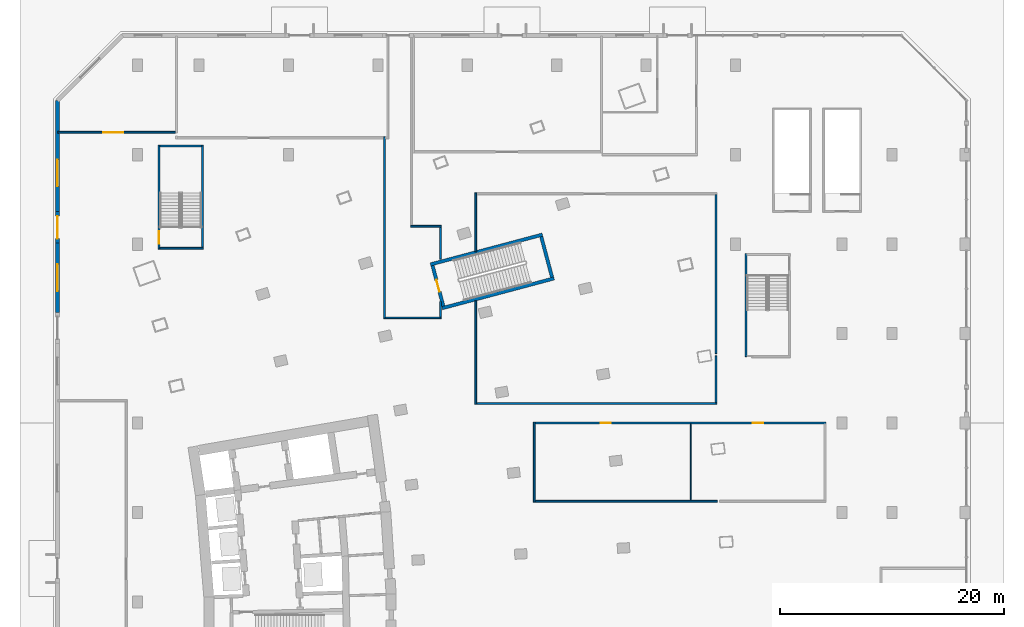
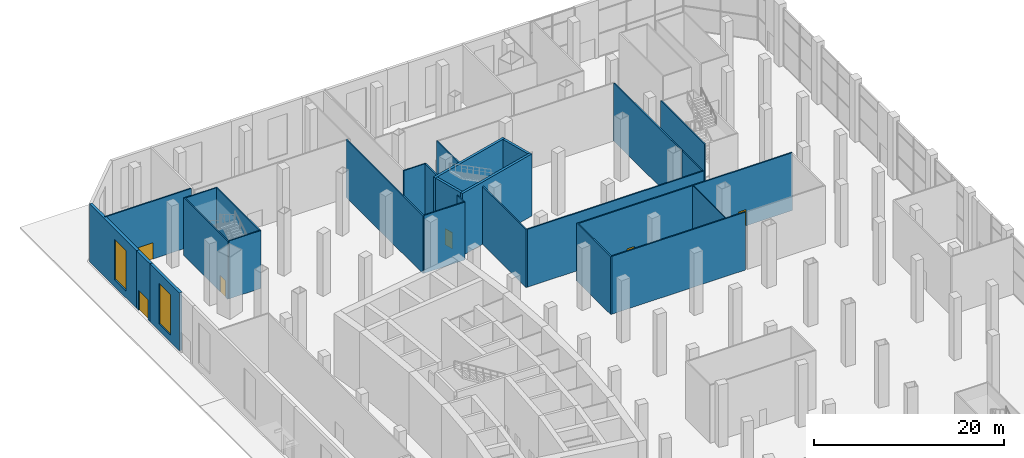
# One storey, part 18 of 33: 27 walls, 6 doors, 2 windows, 8 openings.
"""IFC4 building model written with IfcOpenShell, lengths in metres."""

from ifc_helpers import new_model, si_unit, direction, frame, frame_2d, origin, place, context, subcontext, project, spatial, rectangle, extrude, material, layer, layer_set, type_object, element, fill, save


model = new_model("IFC4")

# Units and contexts
model_context = context("Model", 3, precision=1e-05, world=origin(), true_north=direction((0.0, 1.0)))
body_context = subcontext(model_context, "Body", "Model", "MODEL_VIEW")
ifc_project = project(units=[si_unit("LENGTHUNIT", "METRE"), si_unit("AREAUNIT", "SQUARE_METRE"), si_unit("VOLUMEUNIT", "CUBIC_METRE"), si_unit("PLANEANGLEUNIT", "RADIAN"), si_unit("MASSUNIT", "GRAM", prefix="KILO")], contexts=[model_context])

# Site, building, storey
site_placement = place(None, origin())
site = spatial("IfcSite", under=ifc_project, at=site_placement, CompositionType="ELEMENT")
building_placement = place(site_placement, origin())
building = spatial("IfcBuilding", under=site, at=building_placement, Name="Alderwake Tower", CompositionType="ELEMENT")
storey_placement = place(building_placement, origin())
storey = spatial("IfcBuildingStorey", under=building, at=storey_placement, Name="L00", CompositionType="ELEMENT", Elevation=0.0)

# Walls
ifc_material_1 = material(Name="Concrete C70/85", Category="concrete")
ifc_layer_1 = layer(ifc_material_1, 0.300048828125)
ifc_layer_set_1 = layer_set([ifc_layer_1], Name="Core wall stair enclosure 300 C70-85")
wall_type_1 = type_object("IfcWallType", Name="Core wall stair enclosure 300 C70-85", PredefinedType="SHEAR", material=ifc_layer_set_1)
for number, where, z_axis, x_axis, name in (
    (1, (36.71142578125, 94.182373046875, 0.0), (0.0, 0.0, 1.0), (0.966309214305, 0.257383958996, 0.0), "Core wall CW.082"),
    (2, (37.75390625, 90.268798828125, 0.0), (0.0, 0.0, 1.0), (0.966309214305, 0.257383958996, 0.0), "Core wall CW.084"),
):
    element("IfcWall", number, at=place(storey_placement, frame(where, z_axis=z_axis, x_axis=x_axis)), inside=storey, type_object=wall_type_1, Name=name, PredefinedType="SHEAR", context=body_context, shape_type="SweptSolid", body=[
        extrude(rectangle(XDim=10.360107421875, YDim=0.300048828125, at=frame_2d((5.18017578125, 0.0))), origin(), (0.0, 0.0, 1.0), 8.0),
    ])

# Wall, opening, door
wall_1_placement = place(storey_placement, frame((37.8603515625, 90.452392578125, 0.0), z_axis=(0.0, 0.0, 1.0), x_axis=(-0.257411420208, 0.966301899381, 0.0)))
wall_1 = element("IfcWall", 3, at=wall_1_placement, inside=storey, type_object=wall_type_1, Name="Core wall CW.083", PredefinedType="SHEAR", context=body_context, shape_type="SweptSolid", body=[
    extrude(rectangle(XDim=3.750244140625, YDim=0.300048828125, at=frame_2d((1.875, 0.0))), origin(), (0.0, 0.0, 1.0), 8.0),
])
opening_1_placement = place(wall_1_placement, frame((1.324951171875, 0.0, 0.0)))
opening_1 = element("IfcOpeningElement", 4, at=opening_1_placement, cuts=wall_1, Name="Opening C062", PredefinedType="OPENING", context=body_context, shape_type="SweptSolid", body=[
    extrude(rectangle(XDim=1.10009765625, YDim=2.10009765625, at=frame_2d((0.550048828125, 1.050048828125))), frame((0.0, 0.159912109375, 0.0), z_axis=(0.0, -1.0, 0.0), x_axis=(1.0, 0.0, 0.0)), (0.0, 0.0, 1.0), 0.320068359375),
])
ifc_material_2 = material(Name="Steel-framed fire door leaf", Category="steel")
door_type_1 = type_object("IfcDoorType", Name="Core stair door 1100 fire-rated", OperationType="SINGLE_SWING_LEFT", PredefinedType="DOOR", material=ifc_material_2)
door_1_placement = place(opening_1_placement, origin())
door_1 = element("IfcDoor", 5, at=door_1_placement, inside=storey, type_object=door_type_1, Name="Stair door", OperationType="SINGLE_SWING_RIGHT", OverallHeight=2.10009765625, OverallWidth=1.10009765625, PredefinedType="DOOR", context=body_context, shape_type="SweptSolid", body=[
    extrude(rectangle(XDim=1.10009765625, YDim=2.10009765625, at=frame_2d((0.550048828125, 1.050048828125))), frame((0.0, 0.02490234375, 0.0), z_axis=(0.0, -1.0, 0.0), x_axis=(1.0, 0.0, 0.0)), (0.0, 0.0, 1.0), 0.050048828125),
])
fill(opening_1, door_1)

# Wall
wall_2_placement = place(storey_placement, frame((47.581298828125, 93.041748046875, 0.0), z_axis=(0.0, 0.0, 1.0), x_axis=(-0.257366821694, 0.966313778796, 0.0)))
element("IfcWall", 6, at=wall_2_placement, inside=storey, type_object=wall_type_1, Name="Core wall CW.081", PredefinedType="SHEAR", context=body_context, shape_type="SweptSolid", body=[
    extrude(rectangle(XDim=3.749755859375, YDim=0.300048828125, at=frame_2d((1.875, 0.0))), origin(), (0.0, 0.0, 1.0), 8.0),
])

# Wall, opening, door
ifc_material_3 = material(Name="Gypsum board on metal studs, rated")
ifc_layer_2 = layer(ifc_material_3, 0.159912109375)
ifc_layer_set_2 = layer_set([ifc_layer_2], Name="Corridor wall 160")
wall_type_2 = type_object("IfcWallType", Name="Corridor wall 160", PredefinedType="PARTITIONING", material=ifc_layer_set_2)
wall_3_placement = place(storey_placement, frame((13.90087890625, 105.9990234375, 0.0), z_axis=(0.0, 0.0, 1.0), x_axis=(-1.0, 0.0, 0.0)))
wall_3 = element("IfcWall", 7, at=wall_3_placement, inside=storey, type_object=wall_type_2, Name="WL/L00/W71", PredefinedType="PARTITIONING", context=body_context, shape_type="SweptSolid", body=[
    extrude(rectangle(XDim=10.52099609375, YDim=0.159912109375, at=frame_2d((5.260498046875, 0.0))), origin(), (0.0, 0.0, 1.0), 7.449951171875),
])
opening_2_placement = place(wall_3_placement, frame((4.65087890625, 0.0, 0.0)))
opening_2 = element("IfcOpeningElement", 8, at=opening_2_placement, cuts=wall_3, Name="Opening L00-19", PredefinedType="OPENING", context=body_context, shape_type="SweptSolid", body=[
    extrude(rectangle(XDim=1.800048828125, YDim=2.10009765625, at=frame_2d((0.89990234375, 1.050048828125))), frame((0.0, 0.08984375, 0.0), z_axis=(0.0, -1.0, 0.0), x_axis=(1.0, 0.0, 0.0)), (0.0, 0.0, 1.0), 0.179931640625),
])
ifc_material_4 = material(Name="Aluminium framed glazed leaves", Category="aluminium")
door_type_2 = type_object("IfcDoorType", Name="Shopfront door 1800 glazed double", OperationType="DOUBLE_DOOR_SINGLE_SWING", PredefinedType="DOOR", material=ifc_material_4)
door_2_placement = place(opening_2_placement, origin())
door_2 = element("IfcDoor", 9, at=door_2_placement, inside=storey, type_object=door_type_2, Name="DR/L00/19", OperationType="DOUBLE_DOOR_SINGLE_SWING", OverallHeight=2.10009765625, OverallWidth=1.800048828125, PredefinedType="DOOR", context=body_context, shape_type="SweptSolid", body=[
    extrude(rectangle(XDim=1.800048828125, YDim=2.10009765625, at=frame_2d((0.89990234375, 1.050048828125))), frame((0.0, 0.02490234375, 0.0), z_axis=(0.0, -1.0, 0.0), x_axis=(1.0, 0.0, 0.0)), (0.0, 0.0, 1.0), 0.050048828125),
])
fill(opening_2, door_2)

# Walls
wall_4_placement = place(storey_placement, frame((40.7490234375, 81.669921875, 0.0), z_axis=(0.0, 0.0, 1.0), x_axis=(0.0, 1.0, 0.0)))
element("IfcWall", 10, at=wall_4_placement, inside=storey, type_object=wall_type_2, Name="WL/L00/W74", PredefinedType="PARTITIONING", context=body_context, shape_type="SweptSolid", body=[
    extrude(rectangle(XDim=9.2421875, YDim=0.159912109375, at=frame_2d((4.62109375, 0.0))), origin(), (0.0, 0.0, 1.0), 7.449951171875),
])
wall_5_placement = place(storey_placement, frame((40.8291015625, 81.75, 0.0), z_axis=(0.0, 0.0, 1.0), x_axis=(1.0, 0.0, 0.0)))
element("IfcWall", 11, at=wall_5_placement, inside=storey, type_object=wall_type_2, Name="WL/L00/W75", PredefinedType="PARTITIONING", context=body_context, shape_type="SweptSolid", body=[
    extrude(rectangle(XDim=21.5009765625, YDim=0.159912109375, at=frame_2d((10.75048828125, 0.0))), origin(), (0.0, 0.0, 1.0), 7.449951171875),
])
wall_6_placement = place(storey_placement, frame((40.7490234375, 95.33203125, 0.0), z_axis=(0.0, 0.0, 1.0), x_axis=(0.0, 1.0, 0.0)))
element("IfcWall", 12, at=wall_6_placement, inside=storey, type_object=wall_type_2, Name="WL/L00/W76", PredefinedType="PARTITIONING", context=body_context, shape_type="SweptSolid", body=[
    extrude(rectangle(XDim=5.248046875, YDim=0.159912109375, at=frame_2d((2.6240234375, 0.0))), origin(), (0.0, 0.0, 1.0), 7.449951171875),
])
wall_7_placement = place(storey_placement, frame((45.9990234375, 72.9189453125, 0.0), z_axis=(0.0, 0.0, 1.0), x_axis=(0.0, 1.0, 0.0)))
element("IfcWall", 13, at=wall_7_placement, inside=storey, type_object=wall_type_2, Name="WL/L00/W82", PredefinedType="PARTITIONING", context=body_context, shape_type="SweptSolid", body=[
    extrude(rectangle(XDim=7.162109375, YDim=0.159912109375, at=frame_2d((3.5810546875, 0.0))), origin(), (0.0, 0.0, 1.0), 7.449951171875),
])

# Wall, openings, doors
wall_8_placement = place(storey_placement, frame((46.0791015625, 80.0009765625, 0.0), z_axis=(0.0, 0.0, 1.0), x_axis=(1.0, 0.0, 0.0)))
wall_8 = element("IfcWall", 14, at=wall_8_placement, inside=storey, type_object=wall_type_2, Name="WL/L00/W83", PredefinedType="PARTITIONING", context=body_context, shape_type="SweptSolid", body=[
    extrude(rectangle(XDim=26.0009765625, YDim=0.159912109375, at=frame_2d((13.00048828125, 0.0))), origin(), (0.0, 0.0, 1.0), 7.449951171875),
])
opening_3_placement = place(wall_8_placement, frame((5.87109375, 0.0, 0.0)))
opening_3 = element("IfcOpeningElement", 15, at=opening_3_placement, cuts=wall_8, Name="Opening L00-05", PredefinedType="OPENING", context=body_context, shape_type="SweptSolid", body=[
    extrude(rectangle(XDim=0.89990234375, YDim=2.10009765625, at=frame_2d((0.449951171875, 1.050048828125))), frame((0.0, 0.08984375, 0.0), z_axis=(0.0, -1.0, 0.0), x_axis=(1.0, 0.0, 0.0)), (0.0, 0.0, 1.0), 0.179931640625),
])
opening_4_placement = place(wall_8_placement, frame((19.470947265625, 0.0, 0.0)))
opening_4 = element("IfcOpeningElement", 16, at=opening_4_placement, cuts=wall_8, Name="Opening L00-06", PredefinedType="OPENING", context=body_context, shape_type="SweptSolid", body=[
    extrude(rectangle(XDim=0.89990234375, YDim=2.10009765625, at=frame_2d((0.449951171875, 1.050048828125))), frame((0.0, 0.08984375, 0.0), z_axis=(0.0, -1.0, 0.0), x_axis=(1.0, 0.0, 0.0)), (0.0, 0.0, 1.0), 0.179931640625),
])
ifc_material_5 = material(Name="Painted timber leaf", Category="wood")
door_type_3 = type_object("IfcDoorType", Name="Room door 900", OperationType="SINGLE_SWING_LEFT", PredefinedType="DOOR", material=ifc_material_5)
door_3_placement = place(opening_3_placement, origin())
door_3 = element("IfcDoor", 17, at=door_3_placement, inside=storey, type_object=door_type_3, Name="DR/L00/05", OperationType="SINGLE_SWING_LEFT", OverallHeight=2.10009765625, OverallWidth=0.89990234375, PredefinedType="DOOR", context=body_context, shape_type="SweptSolid", body=[
    extrude(rectangle(XDim=0.89990234375, YDim=2.10009765625, at=frame_2d((0.449951171875, 1.050048828125))), frame((0.0, 0.02490234375, 0.0), z_axis=(0.0, -1.0, 0.0), x_axis=(1.0, 0.0, 0.0)), (0.0, 0.0, 1.0), 0.050048828125),
])
fill(opening_3, door_3)
door_4_placement = place(opening_4_placement, origin())
door_4 = element("IfcDoor", 18, at=door_4_placement, inside=storey, type_object=door_type_3, Name="DR/L00/06", OperationType="SINGLE_SWING_LEFT", OverallHeight=2.10009765625, OverallWidth=0.89990234375, PredefinedType="DOOR", context=body_context, shape_type="SweptSolid", body=[
    extrude(rectangle(XDim=0.89990234375, YDim=2.10009765625, at=frame_2d((0.449951171875, 1.050048828125))), frame((0.0, 0.02490234375, 0.0), z_axis=(0.0, -1.0, 0.0), x_axis=(1.0, 0.0, 0.0)), (0.0, 0.0, 1.0), 0.050048828125),
])
fill(opening_4, door_4)

# Walls
wall_9_placement = place(storey_placement, frame((62.25, 85.993896484375, 0.0), z_axis=(0.0, 0.0, 1.0), x_axis=(0.0, -1.0, 0.0)))
element("IfcWall", 19, at=wall_9_placement, inside=storey, type_object=wall_type_2, Name="WL/L00/W94", PredefinedType="PARTITIONING", context=body_context, shape_type="SweptSolid", body=[
    extrude(rectangle(XDim=4.163818359375, YDim=0.159912109375, at=frame_2d((2.08203125, 0.0))), origin(), (0.0, 0.0, 1.0), 7.449951171875),
])
wall_10_placement = place(storey_placement, frame((62.25, 100.419921875, 0.0), z_axis=(0.0, 0.0, 1.0), x_axis=(0.0, -1.0, 0.0)))
element("IfcWall", 20, at=wall_10_placement, inside=storey, type_object=wall_type_2, Name="WL/L00/W95", PredefinedType="PARTITIONING", context=body_context, shape_type="SweptSolid", body=[
    extrude(rectangle(XDim=14.21826171875, YDim=0.159912109375, at=frame_2d((7.109130859375, 0.0))), origin(), (0.0, 0.0, 1.0), 7.449951171875),
])
wall_11_placement = place(storey_placement, frame((62.360107421875, 72.9990234375, 0.0), z_axis=(0.0, 0.0, 1.0), x_axis=(-1.0, 0.0, 0.0)))
element("IfcWall", 21, at=wall_11_placement, inside=storey, type_object=wall_type_2, Name="WL/L00/W96", PredefinedType="PARTITIONING", context=body_context, shape_type="SweptSolid", body=[
    extrude(rectangle(XDim=16.281005859375, YDim=0.159912109375, at=frame_2d((8.140625, 0.0))), origin(), (0.0, 0.0, 1.0), 7.449951171875),
])

# Wall, opening, window
ifc_material_6 = material(Name="Precast concrete C50/60 spandrel panel", Category="concrete")
ifc_layer_3 = layer(ifc_material_6, 0.35009765625)
ifc_layer_set_3 = layer_set([ifc_layer_3], Name="External wall EW4 Precast concrete C50/60 podium")
wall_type_3 = type_object("IfcWallType", Name="External wall EW4 Precast concrete C50/60 podium", PredefinedType="SOLIDWALL", material=ifc_layer_set_3)
wall_12_placement = place(storey_placement, frame((3.35009765625, 108.85498046875, 0.0), z_axis=(0.0, 0.0, 1.0), x_axis=(0.0, -1.0, 0.0)))
wall_12 = element("IfcWall", 22, at=wall_12_placement, inside=storey, type_object=wall_type_3, Name="External wall 22", PredefinedType="SOLIDWALL", context=body_context, shape_type="SweptSolid", body=[
    extrude(rectangle(XDim=9.955078125, YDim=0.35009765625, at=frame_2d((4.9775390625, 0.0))), origin(), (0.0, 0.0, 1.0), 7.449951171875),
])
opening_5_placement = place(wall_12_placement, frame((5.29541015625, 0.0, 0.89990234375)))
opening_5 = element("IfcOpeningElement", 23, at=opening_5_placement, cuts=wall_12, Name="Opening W7", PredefinedType="OPENING", context=body_context, shape_type="SweptSolid", body=[
    extrude(rectangle(XDim=2.39990234375, YDim=5.199951171875, at=frame_2d((1.199951171875, 2.60009765625))), frame((0.0, 0.18505859375, 0.0), z_axis=(0.0, -1.0, 0.0), x_axis=(1.0, 0.0, 0.0)), (0.0, 0.0, 1.0), 0.3701171875),
])
ifc_material_7 = material(Name="Bronze tinted glass in aluminium frame", Category="aluminium")
window_type = type_object("IfcWindowType", Name="Window W7 podium ground floor tall", PartitioningType="DOUBLE_PANEL_VERTICAL", PredefinedType="WINDOW", material=ifc_material_7)
window_1_placement = place(opening_5_placement, origin())
window_1 = element("IfcWindow", 24, at=window_1_placement, inside=storey, type_object=window_type, Name="Window W7 podium ground floor tall", OverallHeight=5.199951171875, OverallWidth=2.39990234375, PartitioningType="DOUBLE_PANEL_VERTICAL", PredefinedType="WINDOW", context=body_context, shape_type="SweptSolid", body=[
    extrude(rectangle(XDim=2.39990234375, YDim=5.199951171875, at=frame_2d((1.199951171875, 2.60009765625))), frame((0.0, 0.030029296875, 0.0), z_axis=(0.0, -1.0, 0.0), x_axis=(1.0, 0.0, 0.0)), (0.0, 0.0, 1.0), 0.06005859375),
])
fill(opening_5, window_1)

# Wall, opening, door
wall_13_placement = place(storey_placement, frame((3.35009765625, 98.89990234375, 0.0), z_axis=(0.0, 0.0, 1.0), x_axis=(0.0, -1.0, 0.0)))
wall_13 = element("IfcWall", 25, at=wall_13_placement, inside=storey, type_object=wall_type_3, Name="External wall 23", PredefinedType="SOLIDWALL", context=body_context, shape_type="SweptSolid", body=[
    extrude(rectangle(XDim=2.7998046875, YDim=0.35009765625, at=frame_2d((1.39990234375, 0.0))), origin(), (0.0, 0.0, 1.0), 7.449951171875),
])
opening_6_placement = place(wall_13_placement, frame((0.39990234375, 0.0, 0.0)))
opening_6 = element("IfcOpeningElement", 26, at=opening_6_placement, cuts=wall_13, Name="Opening D14", PredefinedType="OPENING", context=body_context, shape_type="SweptSolid", body=[
    extrude(rectangle(XDim=2.0, YDim=2.60009765625, at=frame_2d((1.0, 1.300048828125))), frame((0.0, 0.18505859375, 0.0), z_axis=(0.0, -1.0, 0.0), x_axis=(1.0, 0.0, 0.0)), (0.0, 0.0, 1.0), 0.3701171875),
])
ifc_material_8 = material(Name="Bronze tinted glass in aluminium frame", Category="aluminium")
door_type_4 = type_object("IfcDoorType", Name="Entrance door ED double 2000", OperationType="DOUBLE_DOOR_DOUBLE_SWING", PredefinedType="DOOR", material=ifc_material_8)
door_5_placement = place(opening_6_placement, origin())
door_5 = element("IfcDoor", 27, at=door_5_placement, inside=storey, type_object=door_type_4, Name="Door D14", OperationType="DOUBLE_DOOR_DOUBLE_SWING", OverallHeight=2.60009765625, OverallWidth=2.0, PredefinedType="DOOR", context=body_context, shape_type="SweptSolid", body=[
    extrude(rectangle(XDim=2.0, YDim=2.60009765625, at=frame_2d((1.0, 1.300048828125))), frame((0.0, 0.02490234375, 0.0), z_axis=(0.0, -1.0, 0.0), x_axis=(1.0, 0.0, 0.0)), (0.0, 0.0, 1.0), 0.050048828125),
])
fill(opening_6, door_5)

# Wall, opening, window
wall_14_placement = place(storey_placement, frame((3.35009765625, 96.10009765625, 0.0), z_axis=(0.0, 0.0, 1.0), x_axis=(0.0, -1.0, 0.0)))
wall_14 = element("IfcWall", 28, at=wall_14_placement, inside=storey, type_object=wall_type_3, Name="External wall 24", PredefinedType="SOLIDWALL", context=body_context, shape_type="SweptSolid", body=[
    extrude(rectangle(XDim=6.2001953125, YDim=0.35009765625, at=frame_2d((3.10009765625, 0.0))), origin(), (0.0, 0.0, 1.0), 7.449951171875),
])
opening_7_placement = place(wall_14_placement, frame((1.89990234375, 0.0, 0.89990234375)))
opening_7 = element("IfcOpeningElement", 29, at=opening_7_placement, cuts=wall_14, Name="Opening W7", PredefinedType="OPENING", context=body_context, shape_type="SweptSolid", body=[
    extrude(rectangle(XDim=2.39990234375, YDim=5.199951171875, at=frame_2d((1.199951171875, 2.60009765625))), frame((0.0, 0.18505859375, 0.0), z_axis=(0.0, -1.0, 0.0), x_axis=(1.0, 0.0, 0.0)), (0.0, 0.0, 1.0), 0.3701171875),
])
window_2_placement = place(opening_7_placement, origin())
window_2 = element("IfcWindow", 30, at=window_2_placement, inside=storey, type_object=window_type, Name="Window W7 podium ground floor tall", OverallHeight=5.199951171875, OverallWidth=2.39990234375, PartitioningType="DOUBLE_PANEL_VERTICAL", PredefinedType="WINDOW", context=body_context, shape_type="SweptSolid", body=[
    extrude(rectangle(XDim=2.39990234375, YDim=5.199951171875, at=frame_2d((1.199951171875, 2.60009765625))), frame((0.0, 0.030029296875, 0.0), z_axis=(0.0, -1.0, 0.0), x_axis=(1.0, 0.0, 0.0)), (0.0, 0.0, 1.0), 0.06005859375),
])
fill(opening_7, window_2)

# Walls
ifc_material_9 = material(Name="Gypsum shaft wall system, rated")
ifc_layer_4 = layer(ifc_material_9, 0.14990234375)
ifc_layer_set_4 = layer_set([ifc_layer_4], Name="Riser and shaft wall 150")
wall_type_4 = type_object("IfcWallType", Name="Riser and shaft wall 150", PredefinedType="PARTITIONING", material=ifc_layer_set_4)
wall_15_placement = place(storey_placement, frame((32.60107421875, 89.324951171875, 0.0), z_axis=(0.0, 0.0, 1.0), x_axis=(0.0, 1.0, 0.0)))
element("IfcWall", 31, at=wall_15_placement, inside=storey, type_object=wall_type_4, Name="WL/L00/W15", PredefinedType="PARTITIONING", context=body_context, shape_type="SweptSolid", body=[
    extrude(rectangle(XDim=16.256103515625, YDim=0.14990234375, at=frame_2d((8.1279296875, 0.0))), origin(), (0.0, 0.0, 1.0), 7.449951171875),
])
wall_16_placement = place(storey_placement, frame((34.926025390625, 97.59912109375, 0.0), z_axis=(0.0, 0.0, 1.0), x_axis=(1.0, 0.0, 0.0)))
element("IfcWall", 32, at=wall_16_placement, inside=storey, type_object=wall_type_4, Name="WL/L00/W21", PredefinedType="PARTITIONING", context=body_context, shape_type="SweptSolid", body=[
    extrude(rectangle(XDim=2.748046875, YDim=0.14990234375, at=frame_2d((1.3740234375, 0.0))), origin(), (0.0, 0.0, 1.0), 7.449951171875),
])
wall_17_placement = place(storey_placement, frame((37.674072265625, 89.39990234375, 0.0), z_axis=(0.0, 0.0, 1.0), x_axis=(-1.0, 0.0, 0.0)))
element("IfcWall", 33, at=wall_17_placement, inside=storey, type_object=wall_type_4, Name="WL/L00/W26", PredefinedType="PARTITIONING", context=body_context, shape_type="SweptSolid", body=[
    extrude(rectangle(XDim=4.998046875, YDim=0.14990234375, at=frame_2d((2.4990234375, 0.0))), origin(), (0.0, 0.0, 1.0), 7.449951171875),
])
wall_18_placement = place(storey_placement, frame((37.59912109375, 90.845947265625, 0.0), z_axis=(0.0, 0.0, 1.0), x_axis=(0.0, -1.0, 0.0)))
element("IfcWall", 34, at=wall_18_placement, inside=storey, type_object=wall_type_4, Name="WL/L00/W27", PredefinedType="PARTITIONING", context=body_context, shape_type="SweptSolid", body=[
    extrude(rectangle(XDim=1.370849609375, YDim=0.14990234375, at=frame_2d((0.685546875, 0.0))), origin(), (0.0, 0.0, 1.0), 7.449951171875),
])
wall_19_placement = place(storey_placement, frame((37.59912109375, 97.52392578125, 0.0), z_axis=(0.0, 0.0, 1.0), x_axis=(0.0, -1.0, 0.0)))
element("IfcWall", 35, at=wall_19_placement, inside=storey, type_object=wall_type_4, Name="WL/L00/W29", PredefinedType="PARTITIONING", context=body_context, shape_type="SweptSolid", body=[
    extrude(rectangle(XDim=2.871337890625, YDim=0.14990234375, at=frame_2d((1.435546875, 0.0))), origin(), (0.0, 0.0, 1.0), 7.449951171875),
])

# Wall, opening, door
ifc_material_10 = material(Name="Concrete C40/50", Category="concrete")
ifc_layer_5 = layer(ifc_material_10, 0.14990234375)
ifc_layer_set_5 = layer_set([ifc_layer_5], Name="Stair shaft wall 150 C40/50")
wall_type_5 = type_object("IfcWallType", Name="Stair shaft wall 150 C40/50", PredefinedType="SHEAR", material=ifc_layer_set_5)
wall_20_placement = place(storey_placement, frame((12.426025390625, 95.550048828125, 0.0), z_axis=(0.0, 0.0, 1.0), x_axis=(0.0, 1.0, 0.0)))
wall_20 = element("IfcWall", 36, at=wall_20_placement, inside=storey, type_object=wall_type_5, Name="WL/L00/W07", PredefinedType="SHEAR", context=body_context, shape_type="SweptSolid", body=[
    extrude(rectangle(XDim=9.300048828125, YDim=0.14990234375, at=frame_2d((4.64990234375, 0.0))), origin(), (0.0, 0.0, 1.0), 7.449951171875),
])
opening_8_placement = place(wall_20_placement, frame((0.5, 0.0, 0.0)))
opening_8 = element("IfcOpeningElement", 37, at=opening_8_placement, cuts=wall_20, Name="Opening L00-28", PredefinedType="OPENING", context=body_context, shape_type="SweptSolid", body=[
    extrude(rectangle(XDim=1.10009765625, YDim=2.10009765625, at=frame_2d((0.550048828125, 1.050048828125))), frame((0.0, 0.0849609375, 0.0), z_axis=(0.0, -1.0, 0.0), x_axis=(1.0, 0.0, 0.0)), (0.0, 0.0, 1.0), 0.169921875),
])
ifc_material_11 = material(Name="Steel-framed fire door leaf", Category="steel")
door_type_5 = type_object("IfcDoorType", Name="Stair door 1100 fire-rated", OperationType="SINGLE_SWING_LEFT", PredefinedType="DOOR", material=ifc_material_11)
door_6_placement = place(opening_8_placement, origin())
door_6 = element("IfcDoor", 38, at=door_6_placement, inside=storey, type_object=door_type_5, Name="DR/L00/28", OperationType="SINGLE_SWING_LEFT", OverallHeight=2.10009765625, OverallWidth=1.10009765625, PredefinedType="DOOR", context=body_context, shape_type="SweptSolid", body=[
    extrude(rectangle(XDim=1.10009765625, YDim=2.10009765625, at=frame_2d((0.550048828125, 1.050048828125))), frame((0.0, 0.02490234375, 0.0), z_axis=(0.0, -1.0, 0.0), x_axis=(1.0, 0.0, 0.0)), (0.0, 0.0, 1.0), 0.050048828125),
])
fill(opening_8, door_6)

# Walls
wall_21_placement = place(storey_placement, frame((12.5009765625, 95.625, 0.0), z_axis=(0.0, 0.0, 1.0), x_axis=(1.0, 0.0, 0.0)))
element("IfcWall", 39, at=wall_21_placement, inside=storey, type_object=wall_type_5, Name="WL/L00/W08", PredefinedType="SHEAR", context=body_context, shape_type="SweptSolid", body=[
    extrude(rectangle(XDim=3.89990234375, YDim=0.14990234375, at=frame_2d((1.949951171875, 0.0))), origin(), (0.0, 0.0, 1.0), 7.449951171875),
])
wall_22_placement = place(storey_placement, frame((16.325927734375, 95.699951171875, 0.0), z_axis=(0.0, 0.0, 1.0), x_axis=(0.0, 1.0, 0.0)))
element("IfcWall", 40, at=wall_22_placement, inside=storey, type_object=wall_type_5, Name="WL/L00/W11", PredefinedType="SHEAR", context=body_context, shape_type="SweptSolid", body=[
    extrude(rectangle(XDim=9.150146484375, YDim=0.14990234375, at=frame_2d((4.5751953125, 0.0))), origin(), (0.0, 0.0, 1.0), 7.449951171875),
])
wall_23_placement = place(storey_placement, frame((16.2509765625, 104.77490234375, 0.0), z_axis=(0.0, 0.0, 1.0), x_axis=(-1.0, 0.0, 0.0)))
element("IfcWall", 41, at=wall_23_placement, inside=storey, type_object=wall_type_5, Name="WL/L00/W12", PredefinedType="SHEAR", context=body_context, shape_type="SweptSolid", body=[
    extrude(rectangle(XDim=3.75, YDim=0.14990234375, at=frame_2d((1.875, 0.0))), origin(), (0.0, 0.0, 1.0), 7.449951171875),
])
wall_24_placement = place(storey_placement, frame((64.926025390625, 95.15087890625, 0.0), z_axis=(0.0, 0.0, 1.0), x_axis=(0.0, -1.0, 0.0)))
element("IfcWall", 42, at=wall_24_placement, inside=storey, type_object=wall_type_5, Name="WL/L00/W31", PredefinedType="SHEAR", context=body_context, shape_type="SweptSolid", body=[
    extrude(rectangle(XDim=9.2158203125, YDim=0.14990234375, at=frame_2d((4.60791015625, 0.0))), origin(), (0.0, 0.0, 1.0), 7.449951171875),
])
ifc_material_12 = material(Name="Gypsum board on metal studs")
ifc_layer_6 = layer(ifc_material_12, 0.10009765625)
ifc_layer_set_6 = layer_set([ifc_layer_6], Name="Unit partition 100")
wall_type_6 = type_object("IfcWallType", Name="Unit partition 100", PredefinedType="PARTITIONING", material=ifc_layer_set_6)
wall_25_placement = place(storey_placement, frame((60.0, 73.0791015625, 0.0), z_axis=(0.0, 0.0, 1.0), x_axis=(0.0, 1.0, 0.0)))
element("IfcWall", 43, at=wall_25_placement, inside=storey, type_object=wall_type_6, Name="WL/L00/W106", PredefinedType="PARTITIONING", context=body_context, shape_type="SweptSolid", body=[
    extrude(rectangle(XDim=6.841796875, YDim=0.10009765625, at=frame_2d((3.4208984375, 0.0))), origin(), (0.0, 0.0, 1.0), 7.449951171875),
])

save(model, "model.ifc")
